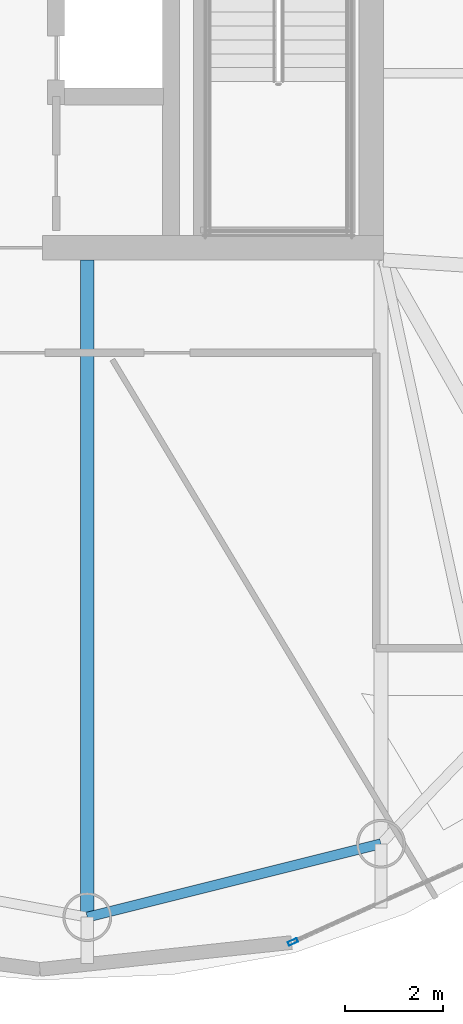
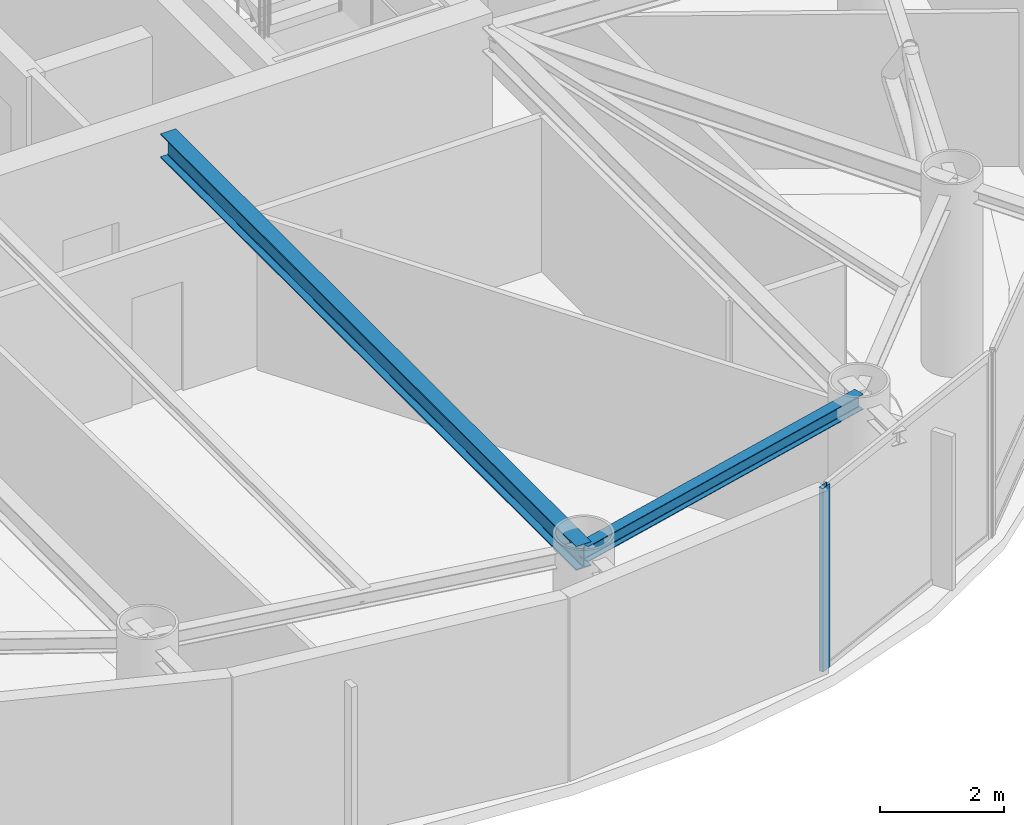
# One storey, part 5 of 22: 2 beams, 1 member, 1 element without a shape of its own.
"""IFC4 building model written with IfcOpenShell, lengths in metres."""

from ifc_helpers import new_model, si_unit, direction, frame, origin, origin_2d, place, context, subcontext, project, spatial, hollow_rectangle, i_section, extrude, material, layer, layer_set, material_profile, profile_set, type_object, element, aggregate, save


model = new_model("IFC4")

# Units and contexts
model_context = context("Model", 3, precision=1e-05, world=origin(), true_north=direction((0.0, 1.0)))
body_context = subcontext(model_context, "Body", "Model", "MODEL_VIEW")
ifc_project = project(units=[si_unit("LENGTHUNIT", "METRE"), si_unit("AREAUNIT", "SQUARE_METRE"), si_unit("VOLUMEUNIT", "CUBIC_METRE"), si_unit("PLANEANGLEUNIT", "RADIAN"), si_unit("MASSUNIT", "GRAM", prefix="KILO")], contexts=[model_context])

# Site, building, storey
site_placement = place(None, origin())
site = spatial("IfcSite", under=ifc_project, at=site_placement, CompositionType="ELEMENT")
building_placement = place(site_placement, origin())
building = spatial("IfcBuilding", under=site, at=building_placement, Name="Bramvorn Convention Spire", CompositionType="ELEMENT")
storey_placement = place(building_placement, frame((0.0, 0.0, 253.60009765625)))
storey = spatial("IfcBuildingStorey", under=building, at=storey_placement, Name="L64", CompositionType="ELEMENT", Elevation=253.60009765625)

# Beams
ifc_material_1 = material(Name="Steel CSA G40.21 Grade 350 (350W)", Category="steel")
ifc_material_profile_1 = material_profile(ifc_material_1, i_section(OverallWidth=0.202880859375, OverallDepth=0.302978515625, WebThickness=0.007568359375, FlangeThickness=0.01318359375, FilletRadius=0.013916015625, at=origin_2d()))
ifc_profile_set_1 = profile_set([ifc_material_profile_1], Name="Steel CSA G40.21 Grade 350 (350W) - W310X60")
beam_type_1 = type_object("IfcBeamType", Name="BM-W310X60", PredefinedType="JOIST", material=ifc_profile_set_1)
beam_1_placement = place(storey_placement, frame((43.1884765625, 5.09912109375, 3.473388671875), z_axis=(0.970177255997, 0.24239655927, 0.0), x_axis=(-0.24239655927, 0.970177255997, 0.0)))
element("IfcBeam", 1, at=beam_1_placement, inside=storey, type_object=beam_type_1, Name="L64 mega-column ring beam 16", PredefinedType="JOIST", context=body_context, shape_type="SweptSolid", body=[
    extrude(i_section(OverallWidth=0.202880859375, OverallDepth=0.302978515625, WebThickness=0.007568359375, FlangeThickness=0.01318359375, FilletRadius=0.013916015625, at=origin_2d()), origin(), (0.0, 0.0, 1.0), 6.1962890625),
])
ifc_material_profile_2 = material_profile(ifc_material_1, i_section(OverallWidth=0.283935546875, OverallDepth=0.47607421875, WebThickness=0.014892578125, FlangeThickness=0.02392578125, FilletRadius=0.01806640625, at=origin_2d()))
ifc_profile_set_2 = profile_set([ifc_material_profile_2], Name="Steel CSA G40.21 Grade 350 (350W) - W460X158")
beam_type_2 = type_object("IfcBeamType", Name="BM-W460X158", PredefinedType="SPANDREL", material=ifc_profile_set_2)
beam_2_placement = place(storey_placement, frame((43.1884765625, 18.550048828125, 3.386962890625), z_axis=(0.0, -1.0, 0.0), x_axis=(1.0, 0.0, 0.0)))
element("IfcBeam", 2, at=beam_2_placement, inside=storey, type_object=beam_type_2, Name="L64 radial floor girder MC16", PredefinedType="SPANDREL", context=body_context, shape_type="SweptSolid", body=[
    extrude(i_section(OverallWidth=0.283935546875, OverallDepth=0.47607421875, WebThickness=0.014892578125, FlangeThickness=0.02392578125, FilletRadius=0.01806640625, at=origin_2d()), origin(), (0.0, 0.0, 1.0), 13.450927734375),
])

# Curtain wall, member
ifc_material_2 = material(Name="Anodised Bronze Unitised Curtain Wall", Category="aluminium")
ifc_layer = layer(ifc_material_2, 0.179931640625)
ifc_layer_set = layer_set([ifc_layer], Name="Anodised Bronze Unitised Curtain Wall - CW-OFF-FRIT")
curtain_wall_type = type_object("IfcCurtainWallType", Name="CW-OFF-FRIT", PredefinedType="USERDEFINED", material=ifc_layer_set)
curtain_wall_placement = place(storey_placement, origin())
curtain_wall = element("IfcCurtainWall", 3, at=curtain_wall_placement, inside=storey, type_object=curtain_wall_type, Name="L64 fritted glass curtain wall 24", ObjectType="UNITISED CURTAIN WALL", PredefinedType="USERDEFINED")
ifc_material_3 = material(Name="Anodised Bronze Aluminium 6063-T6", Category="aluminium")
ifc_material_profile_3 = material_profile(ifc_material_3, hollow_rectangle(XDim=0.080078125, YDim=0.199951171875, WallThickness=0.00390625, InnerFilletRadius=0.0009765625, OuterFilletRadius=0.00390625, at=origin_2d()))
ifc_profile_set_3 = profile_set([ifc_material_profile_3], Name="Anodised Bronze Aluminium 6063-T6 - CWM80X200")
member_type = type_object("IfcMemberType", Name="CW-MUL-180", PredefinedType="MULLION", material=ifc_profile_set_3)
member_placement = place(storey_placement, frame((47.396240234375, 4.59130859375, 0.0), z_axis=(0.0, 0.0, 1.0), x_axis=(0.412381632246, -0.911011190593, 0.0)))
member = element("IfcMember", 4, at=member_placement, type_object=member_type, Name="CW3 mullion 2", PredefinedType="MULLION", context=body_context, shape_type="SweptSolid", body=[
    extrude(hollow_rectangle(XDim=0.080078125, YDim=0.199951171875, WallThickness=0.00390625, InnerFilletRadius=0.0009765625, OuterFilletRadius=0.00390625, at=origin_2d()), origin(), (0.0, 0.0, 1.0), 3.625),
])
aggregate(curtain_wall, [member])

save(model, "model.ifc")
